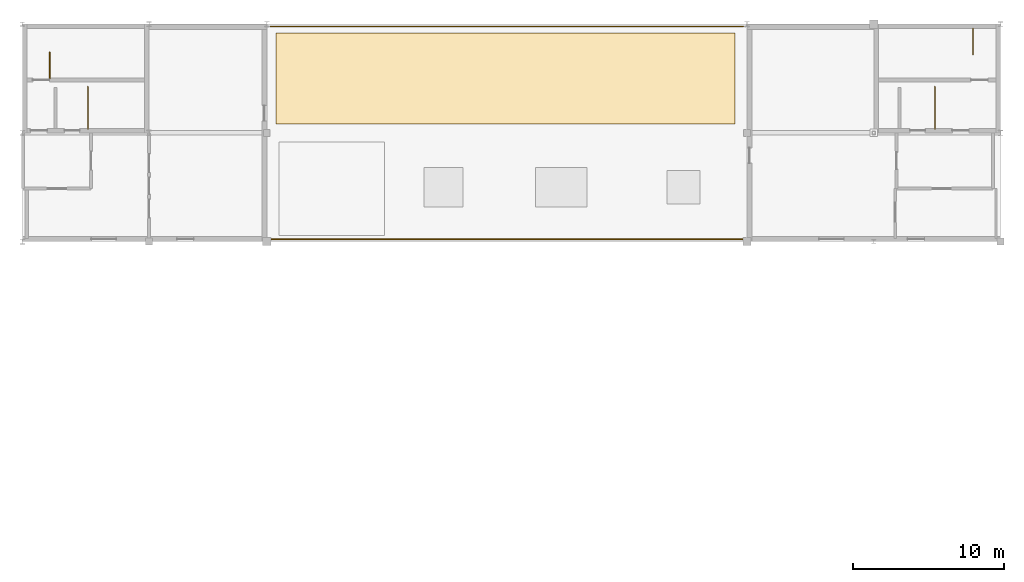
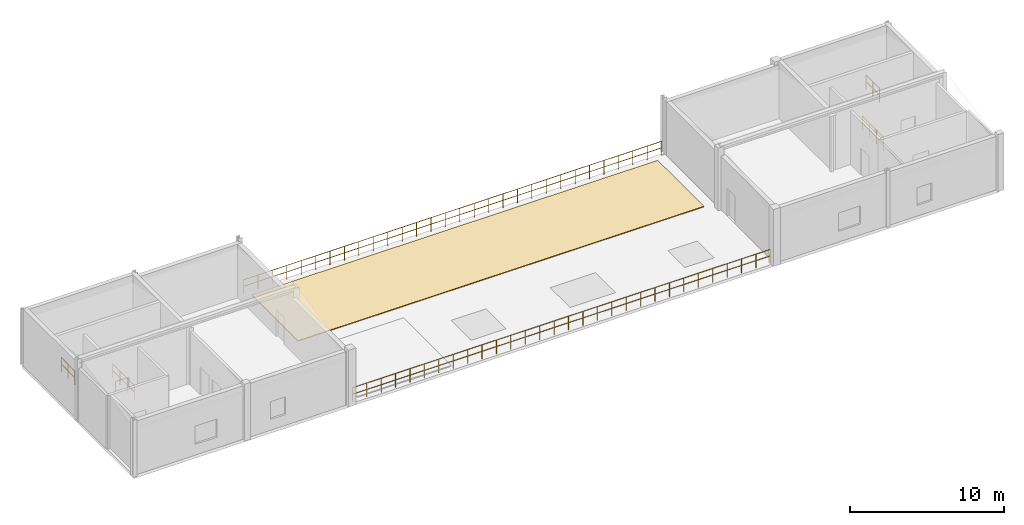
# One storey, part 5 of 5: 6 railings, 1 covering.
"""IFC4 building model written with IfcOpenShell, lengths in metres."""

from ifc_helpers import new_model, si_unit, derived_unit, direction, frame, origin, origin_2d, place, context, subcontext, project, spatial, polyline, circle, outline, extrude, material, layer, layer_set, type_object, element, save


model = new_model("IFC4")

# Units and contexts
model_context = context("Model", 3, precision=1e-05, world=origin(), true_north=direction((0.0, 1.0)))
body_context = subcontext(model_context, "Body", "Model", "MODEL_VIEW")
ifc_project = project(units=[si_unit("LENGTHUNIT", "METRE"), si_unit("AREAUNIT", "SQUARE_METRE"), si_unit("VOLUMEUNIT", "CUBIC_METRE"), si_unit("PLANEANGLEUNIT", "RADIAN"), si_unit("MASSUNIT", "GRAM", prefix="KILO"), derived_unit("THERMALTRANSMITTANCEUNIT", [(si_unit("POWERUNIT", "WATT"), 1), (si_unit("AREAUNIT", "SQUARE_METRE"), -1), (si_unit("THERMODYNAMICTEMPERATUREUNIT", "KELVIN"), -1)])], contexts=[model_context])

# Site, building, storey
site_placement = place(None, origin())
site = spatial("IfcSite", under=ifc_project, at=site_placement, CompositionType="ELEMENT")
building_placement = place(site_placement, origin())
building = spatial("IfcBuilding", under=site, at=building_placement, Name="Yasenodar Specialist Clinic", CompositionType="ELEMENT")
storey_placement = place(building_placement, frame((0.0, 0.0, 29.39990234375)))
storey = spatial("IfcBuildingStorey", under=building, at=storey_placement, Name="RF", CompositionType="ELEMENT", Elevation=29.39990234375)

# Covering
ifc_material_1 = material(Name="Standing-Seam Pre-Weathered Zinc Roofing")
ifc_layer = layer(ifc_material_1, 0.06005859375)
ifc_layer_set = layer_set([ifc_layer], Name="Standing-Seam Pre-Weathered Zinc Roofing")
covering_type = type_object("IfcCoveringType", Name="COV-ROOF-ZINC", PredefinedType="ROOFING", material=ifc_layer_set)
covering_placement = place(storey_placement, origin())
element("IfcCovering", 1, at=covering_placement, inside=storey, type_object=covering_type, Name="V5 Central Research Zinc Roof Covering", PredefinedType="ROOFING", context=body_context, shape_type="SweptSolid", body=[
    extrude(outline(polyline([(73.800048828125, 105.0), (104.199951171875, 105.0), (104.199951171875, 111.0), (73.800048828125, 111.0), (73.800048828125, 105.0)])), origin(), (0.0, 0.0, 1.0), 0.06005859375),
])

# Railings
ifc_material_2 = material(Name="Steel S355 Painted Guardrail", Category="steel")
railing_type_1 = type_object("IfcRailingType", Name="RL-GRD-1120", PredefinedType="GUARDRAIL", material=ifc_material_2)
railing_1_placement = place(storey_placement, frame((73.449951171875, 97.35009765625, 0.0)))
element("IfcRailing", 2, at=railing_1_placement, inside=storey, type_object=railing_type_1, Name="RF Central Roof Deck South Guardrail", PredefinedType="GUARDRAIL", context=body_context, shape_type="SweptSolid", body=[
    extrude(circle(Radius=0.02392578125, at=origin_2d()), frame((0.0, 0.0, 1.09619140625), z_axis=(1.0, 0.0, 0.0), x_axis=(0.0, 1.0, 0.0)), (0.0, 0.0, 1.0), 31.300048828125),
    extrude(circle(Radius=0.02392578125, at=origin_2d()), frame((0.0, 0.0, 0.58251953125), z_axis=(1.0, 0.0, 0.0), x_axis=(0.0, 1.0, 0.0)), (0.0, 0.0, 1.0), 31.300048828125),
    extrude(circle(Radius=0.02099609375, at=origin_2d()), origin(), (0.0, 0.0, 1.0), 1.072021484375),
    extrude(circle(Radius=0.02099609375, at=origin_2d()), frame((1.079345703125, 0.0, 0.0)), (0.0, 0.0, 1.0), 1.072021484375),
    extrude(circle(Radius=0.02099609375, at=origin_2d()), frame((2.15869140625, 0.0, 0.0)), (0.0, 0.0, 1.0), 1.072021484375),
    extrude(circle(Radius=0.02099609375, at=origin_2d()), frame((3.238037109375, 0.0, 0.0)), (0.0, 0.0, 1.0), 1.072021484375),
    extrude(circle(Radius=0.02099609375, at=origin_2d()), frame((4.317138671875, 0.0, 0.0)), (0.0, 0.0, 1.0), 1.072021484375),
    extrude(circle(Radius=0.02099609375, at=origin_2d()), frame((5.396484375, 0.0, 0.0)), (0.0, 0.0, 1.0), 1.072021484375),
    extrude(circle(Radius=0.02099609375, at=origin_2d()), frame((6.475830078125, 0.0, 0.0)), (0.0, 0.0, 1.0), 1.072021484375),
    extrude(circle(Radius=0.02099609375, at=origin_2d()), frame((7.55517578125, 0.0, 0.0)), (0.0, 0.0, 1.0), 1.072021484375),
    extrude(circle(Radius=0.02099609375, at=origin_2d()), frame((8.634521484375, 0.0, 0.0)), (0.0, 0.0, 1.0), 1.072021484375),
    extrude(circle(Radius=0.02099609375, at=origin_2d()), frame((9.7138671875, 0.0, 0.0)), (0.0, 0.0, 1.0), 1.072021484375),
    extrude(circle(Radius=0.02099609375, at=origin_2d()), frame((10.793212890625, 0.0, 0.0)), (0.0, 0.0, 1.0), 1.072021484375),
    extrude(circle(Radius=0.02099609375, at=origin_2d()), frame((11.872314453125, 0.0, 0.0)), (0.0, 0.0, 1.0), 1.072021484375),
    extrude(circle(Radius=0.02099609375, at=origin_2d()), frame((12.95166015625, 0.0, 0.0)), (0.0, 0.0, 1.0), 1.072021484375),
    extrude(circle(Radius=0.02099609375, at=origin_2d()), frame((14.031005859375, 0.0, 0.0)), (0.0, 0.0, 1.0), 1.072021484375),
    extrude(circle(Radius=0.02099609375, at=origin_2d()), frame((15.1103515625, 0.0, 0.0)), (0.0, 0.0, 1.0), 1.072021484375),
    extrude(circle(Radius=0.02099609375, at=origin_2d()), frame((16.189697265625, 0.0, 0.0)), (0.0, 0.0, 1.0), 1.072021484375),
    extrude(circle(Radius=0.02099609375, at=origin_2d()), frame((17.26904296875, 0.0, 0.0)), (0.0, 0.0, 1.0), 1.072021484375),
    extrude(circle(Radius=0.02099609375, at=origin_2d()), frame((18.348388671875, 0.0, 0.0)), (0.0, 0.0, 1.0), 1.072021484375),
    extrude(circle(Radius=0.02099609375, at=origin_2d()), frame((19.427734375, 0.0, 0.0)), (0.0, 0.0, 1.0), 1.072021484375),
    extrude(circle(Radius=0.02099609375, at=origin_2d()), frame((20.5068359375, 0.0, 0.0)), (0.0, 0.0, 1.0), 1.072021484375),
    extrude(circle(Radius=0.02099609375, at=origin_2d()), frame((21.586181640625, 0.0, 0.0)), (0.0, 0.0, 1.0), 1.072021484375),
    extrude(circle(Radius=0.02099609375, at=origin_2d()), frame((22.66552734375, 0.0, 0.0)), (0.0, 0.0, 1.0), 1.072021484375),
    extrude(circle(Radius=0.02099609375, at=origin_2d()), frame((23.744873046875, 0.0, 0.0)), (0.0, 0.0, 1.0), 1.072021484375),
    extrude(circle(Radius=0.02099609375, at=origin_2d()), frame((24.82421875, 0.0, 0.0)), (0.0, 0.0, 1.0), 1.072021484375),
    extrude(circle(Radius=0.02099609375, at=origin_2d()), frame((25.903564453125, 0.0, 0.0)), (0.0, 0.0, 1.0), 1.072021484375),
    extrude(circle(Radius=0.02099609375, at=origin_2d()), frame((26.98291015625, 0.0, 0.0)), (0.0, 0.0, 1.0), 1.072021484375),
    extrude(circle(Radius=0.02099609375, at=origin_2d()), frame((28.06201171875, 0.0, 0.0)), (0.0, 0.0, 1.0), 1.072021484375),
    extrude(circle(Radius=0.02099609375, at=origin_2d()), frame((29.141357421875, 0.0, 0.0)), (0.0, 0.0, 1.0), 1.072021484375),
    extrude(circle(Radius=0.02099609375, at=origin_2d()), frame((30.220703125, 0.0, 0.0)), (0.0, 0.0, 1.0), 1.072021484375),
    extrude(circle(Radius=0.02099609375, at=origin_2d()), frame((31.300048828125, 0.0, 0.0)), (0.0, 0.0, 1.0), 1.072021484375),
])
railing_2_placement = place(storey_placement, frame((73.449951171875, 111.449951171875, 0.0)))
element("IfcRailing", 3, at=railing_2_placement, inside=storey, type_object=railing_type_1, Name="RF Central Roof Deck North Guardrail", PredefinedType="GUARDRAIL", context=body_context, shape_type="SweptSolid", body=[
    extrude(circle(Radius=0.02392578125, at=origin_2d()), frame((0.0, 0.0, 1.09619140625), z_axis=(1.0, 0.0, 0.0), x_axis=(0.0, 1.0, 0.0)), (0.0, 0.0, 1.0), 31.300048828125),
    extrude(circle(Radius=0.02392578125, at=origin_2d()), frame((0.0, 0.0, 0.58251953125), z_axis=(1.0, 0.0, 0.0), x_axis=(0.0, 1.0, 0.0)), (0.0, 0.0, 1.0), 31.300048828125),
    extrude(circle(Radius=0.02099609375, at=origin_2d()), origin(), (0.0, 0.0, 1.0), 1.072021484375),
    extrude(circle(Radius=0.02099609375, at=origin_2d()), frame((1.079345703125, 0.0, 0.0)), (0.0, 0.0, 1.0), 1.072021484375),
    extrude(circle(Radius=0.02099609375, at=origin_2d()), frame((2.15869140625, 0.0, 0.0)), (0.0, 0.0, 1.0), 1.072021484375),
    extrude(circle(Radius=0.02099609375, at=origin_2d()), frame((3.238037109375, 0.0, 0.0)), (0.0, 0.0, 1.0), 1.072021484375),
    extrude(circle(Radius=0.02099609375, at=origin_2d()), frame((4.317138671875, 0.0, 0.0)), (0.0, 0.0, 1.0), 1.072021484375),
    extrude(circle(Radius=0.02099609375, at=origin_2d()), frame((5.396484375, 0.0, 0.0)), (0.0, 0.0, 1.0), 1.072021484375),
    extrude(circle(Radius=0.02099609375, at=origin_2d()), frame((6.475830078125, 0.0, 0.0)), (0.0, 0.0, 1.0), 1.072021484375),
    extrude(circle(Radius=0.02099609375, at=origin_2d()), frame((7.55517578125, 0.0, 0.0)), (0.0, 0.0, 1.0), 1.072021484375),
    extrude(circle(Radius=0.02099609375, at=origin_2d()), frame((8.634521484375, 0.0, 0.0)), (0.0, 0.0, 1.0), 1.072021484375),
    extrude(circle(Radius=0.02099609375, at=origin_2d()), frame((9.7138671875, 0.0, 0.0)), (0.0, 0.0, 1.0), 1.072021484375),
    extrude(circle(Radius=0.02099609375, at=origin_2d()), frame((10.793212890625, 0.0, 0.0)), (0.0, 0.0, 1.0), 1.072021484375),
    extrude(circle(Radius=0.02099609375, at=origin_2d()), frame((11.872314453125, 0.0, 0.0)), (0.0, 0.0, 1.0), 1.072021484375),
    extrude(circle(Radius=0.02099609375, at=origin_2d()), frame((12.95166015625, 0.0, 0.0)), (0.0, 0.0, 1.0), 1.072021484375),
    extrude(circle(Radius=0.02099609375, at=origin_2d()), frame((14.031005859375, 0.0, 0.0)), (0.0, 0.0, 1.0), 1.072021484375),
    extrude(circle(Radius=0.02099609375, at=origin_2d()), frame((15.1103515625, 0.0, 0.0)), (0.0, 0.0, 1.0), 1.072021484375),
    extrude(circle(Radius=0.02099609375, at=origin_2d()), frame((16.189697265625, 0.0, 0.0)), (0.0, 0.0, 1.0), 1.072021484375),
    extrude(circle(Radius=0.02099609375, at=origin_2d()), frame((17.26904296875, 0.0, 0.0)), (0.0, 0.0, 1.0), 1.072021484375),
    extrude(circle(Radius=0.02099609375, at=origin_2d()), frame((18.348388671875, 0.0, 0.0)), (0.0, 0.0, 1.0), 1.072021484375),
    extrude(circle(Radius=0.02099609375, at=origin_2d()), frame((19.427734375, 0.0, 0.0)), (0.0, 0.0, 1.0), 1.072021484375),
    extrude(circle(Radius=0.02099609375, at=origin_2d()), frame((20.5068359375, 0.0, 0.0)), (0.0, 0.0, 1.0), 1.072021484375),
    extrude(circle(Radius=0.02099609375, at=origin_2d()), frame((21.586181640625, 0.0, 0.0)), (0.0, 0.0, 1.0), 1.072021484375),
    extrude(circle(Radius=0.02099609375, at=origin_2d()), frame((22.66552734375, 0.0, 0.0)), (0.0, 0.0, 1.0), 1.072021484375),
    extrude(circle(Radius=0.02099609375, at=origin_2d()), frame((23.744873046875, 0.0, 0.0)), (0.0, 0.0, 1.0), 1.072021484375),
    extrude(circle(Radius=0.02099609375, at=origin_2d()), frame((24.82421875, 0.0, 0.0)), (0.0, 0.0, 1.0), 1.072021484375),
    extrude(circle(Radius=0.02099609375, at=origin_2d()), frame((25.903564453125, 0.0, 0.0)), (0.0, 0.0, 1.0), 1.072021484375),
    extrude(circle(Radius=0.02099609375, at=origin_2d()), frame((26.98291015625, 0.0, 0.0)), (0.0, 0.0, 1.0), 1.072021484375),
    extrude(circle(Radius=0.02099609375, at=origin_2d()), frame((28.06201171875, 0.0, 0.0)), (0.0, 0.0, 1.0), 1.072021484375),
    extrude(circle(Radius=0.02099609375, at=origin_2d()), frame((29.141357421875, 0.0, 0.0)), (0.0, 0.0, 1.0), 1.072021484375),
    extrude(circle(Radius=0.02099609375, at=origin_2d()), frame((30.220703125, 0.0, 0.0)), (0.0, 0.0, 1.0), 1.072021484375),
    extrude(circle(Radius=0.02099609375, at=origin_2d()), frame((31.300048828125, 0.0, 0.0)), (0.0, 0.0, 1.0), 1.072021484375),
])
for number, where, name in (
    (4, (61.35009765625, 104.64990234375, 0.0), "RF Core C4 Lift LF-02 Shaft Guardrail"),
    (5, (117.449951171875, 104.64990234375, 0.0), "RF Core C5 Lift LF-08 Shaft Guardrail"),
):
    element("IfcRailing", number, at=place(storey_placement, frame(where)), inside=storey, type_object=railing_type_1, Name=name, PredefinedType="GUARDRAIL", context=body_context, shape_type="SweptSolid", body=[
        extrude(circle(Radius=0.02392578125, at=origin_2d()), frame((0.0, 0.0, 1.09619140625), z_axis=(0.0, 1.0, 0.0), x_axis=(-1.0, 0.0, 0.0)), (0.0, 0.0, 1.0), 2.800048828125),
        extrude(circle(Radius=0.02392578125, at=origin_2d()), frame((0.0, 0.0, 0.58251953125), z_axis=(0.0, 1.0, 0.0), x_axis=(-1.0, 0.0, 0.0)), (0.0, 0.0, 1.0), 2.800048828125),
        extrude(circle(Radius=0.02099609375, at=origin_2d()), origin(), (0.0, 0.0, 1.0), 1.072021484375),
        extrude(circle(Radius=0.02099609375, at=origin_2d()), frame((0.0, 0.933349609375, 0.0)), (0.0, 0.0, 1.0), 1.072021484375),
        extrude(circle(Radius=0.02099609375, at=origin_2d()), frame((0.0, 1.86669921875, 0.0)), (0.0, 0.0, 1.0), 1.072021484375),
        extrude(circle(Radius=0.02099609375, at=origin_2d()), frame((0.0, 2.800048828125, 0.0)), (0.0, 0.0, 1.0), 1.072021484375),
    ])
ifc_material_3 = material(Name="Steel S355 Painted Stair Guardrail", Category="steel")
railing_type_2 = type_object("IfcRailingType", Name="RL-ST-GRD", PredefinedType="GUARDRAIL", material=ifc_material_3)
railing_3_placement = place(storey_placement, frame((58.820068359375, 108.010009765625, 0.0)))
element("IfcRailing", 6, at=railing_3_placement, inside=storey, type_object=railing_type_2, Name="RF ST-04 top well guard 1", PredefinedType="GUARDRAIL", context=body_context, shape_type="SweptSolid", body=[
    extrude(circle(Radius=0.02392578125, at=origin_2d()), frame((0.0, 0.0, 1.09619140625), z_axis=(0.0, 1.0, 0.0), x_axis=(-1.0, 0.0, 0.0)), (0.0, 0.0, 1.0), 1.72998046875),
    extrude(circle(Radius=0.02392578125, at=origin_2d()), frame((0.0, 0.0, 0.58251953125), z_axis=(0.0, 1.0, 0.0), x_axis=(-1.0, 0.0, 0.0)), (0.0, 0.0, 1.0), 1.72998046875),
    extrude(circle(Radius=0.02099609375, at=origin_2d()), origin(), (0.0, 0.0, 1.0), 1.072021484375),
    extrude(circle(Radius=0.02099609375, at=origin_2d()), frame((0.0, 0.864990234375, 0.0)), (0.0, 0.0, 1.0), 1.072021484375),
    extrude(circle(Radius=0.02099609375, at=origin_2d()), frame((0.0, 1.72998046875, 0.0)), (0.0, 0.0, 1.0), 1.072021484375),
])
railing_4_placement = place(storey_placement, frame((119.97998046875, 111.31005859375, 0.0)))
element("IfcRailing", 7, at=railing_4_placement, inside=storey, type_object=railing_type_2, Name="RF ST-05 top well guard 1", PredefinedType="GUARDRAIL", context=body_context, shape_type="SweptSolid", body=[
    extrude(circle(Radius=0.02392578125, at=origin_2d()), frame((0.0, 0.0, 1.09619140625), z_axis=(0.0, -1.0, 0.0), x_axis=(1.0, 0.0, 0.0)), (0.0, 0.0, 1.0), 1.72998046875),
    extrude(circle(Radius=0.02392578125, at=origin_2d()), frame((0.0, 0.0, 0.58251953125), z_axis=(0.0, -1.0, 0.0), x_axis=(1.0, 0.0, 0.0)), (0.0, 0.0, 1.0), 1.72998046875),
    extrude(circle(Radius=0.02099609375, at=origin_2d()), origin(), (0.0, 0.0, 1.0), 1.072021484375),
    extrude(circle(Radius=0.02099609375, at=origin_2d()), frame((0.0, -0.864990234375, 0.0)), (0.0, 0.0, 1.0), 1.072021484375),
    extrude(circle(Radius=0.02099609375, at=origin_2d()), frame((0.0, -1.72998046875, 0.0)), (0.0, 0.0, 1.0), 1.072021484375),
])

save(model, "model.ifc")
